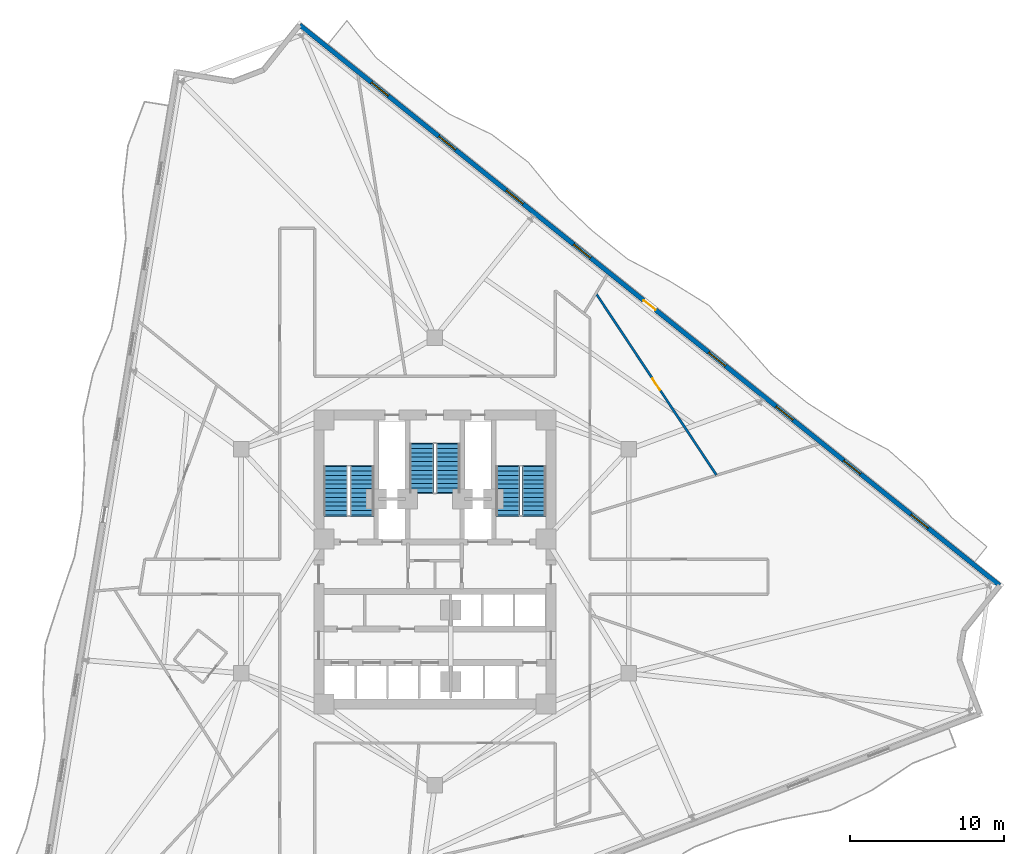
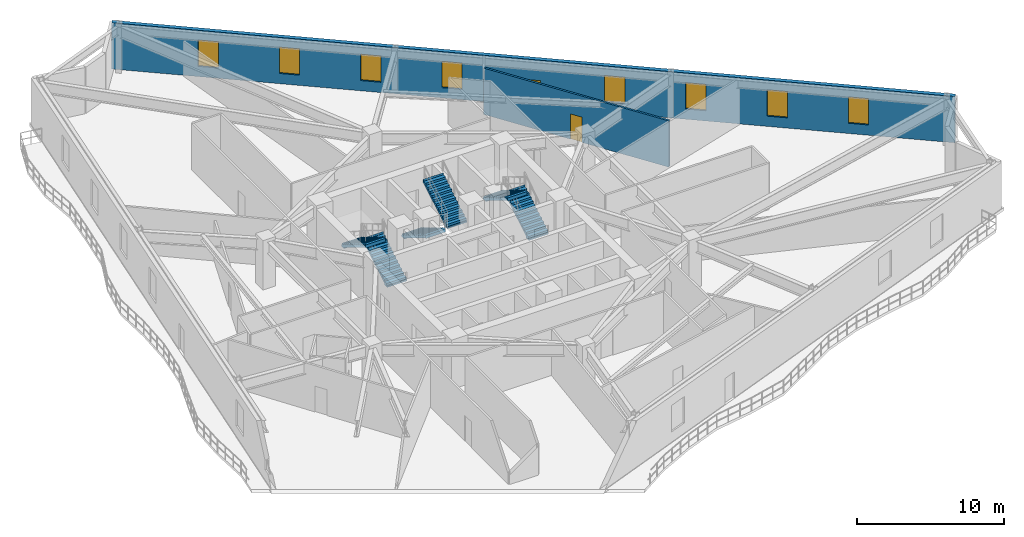
# One storey, part 7 of 11: 8 windows, 6 stair flights, 2 doors, 2 walls, 10 openings, 3 elements without a shape of their own.
"""IFC4 building model written with IfcOpenShell, lengths in metres."""

from ifc_helpers import new_model, si_unit, direction, frame, frame_2d, origin, place, context, subcontext, project, spatial, polyline, rectangle, outline, extrude, material, layer, layer_set, type_object, element, fill, aggregate, save


model = new_model("IFC4")

# Units and contexts
model_context = context("Model", 3, precision=1e-05, world=origin(), true_north=direction((0.0, 1.0)))
body_context = subcontext(model_context, "Body", "Model", "MODEL_VIEW")
ifc_project = project(units=[si_unit("LENGTHUNIT", "METRE"), si_unit("AREAUNIT", "SQUARE_METRE"), si_unit("VOLUMEUNIT", "CUBIC_METRE"), si_unit("PLANEANGLEUNIT", "RADIAN"), si_unit("MASSUNIT", "GRAM", prefix="KILO")], contexts=[model_context])

# Site, building, storey
site_placement = place(None, origin())
site = spatial("IfcSite", under=ifc_project, at=site_placement, CompositionType="ELEMENT")
building_placement = place(site_placement, origin())
building = spatial("IfcBuilding", under=site, at=building_placement, Name="Apsidion Concourse Tower", CompositionType="ELEMENT")
storey_placement = place(building_placement, frame((0.0, 0.0, 140.39990234375)))
storey = spatial("IfcBuildingStorey", under=building, at=storey_placement, Name="L32", CompositionType="ELEMENT", Elevation=140.39990234375)

# Wall, openings, door, windows
ifc_material_1 = material(Name="Precast concrete C40/50", Category="concrete")
ifc_layer_1 = layer(ifc_material_1, 0.300048828125)
ifc_layer_set_1 = layer_set([ifc_layer_1], Name="Precast concrete C40/50")
wall_type_1 = type_object("IfcWallType", Name="WL-EXT-300", PredefinedType="STANDARD", material=ifc_layer_set_1)
wall_1_placement = place(storey_placement, frame((-8.76171875, 34.748291015625, 0.0), z_axis=(0.0, 0.0, 1.0), x_axis=(0.780669916438, -0.624943582708, 0.0)))
wall_1 = element("IfcWall", 1, at=wall_1_placement, inside=storey, type_object=wall_type_1, Name="L32 Precast Stone Facade Wall 01", PredefinedType="STANDARD", context=body_context, shape_type="SweptSolid", body=[
    extrude(rectangle(XDim=58.093017578125, YDim=0.300048828125, at=frame_2d((29.04638671875, 0.0))), origin(), (0.0, 0.0, 1.0), 3.85009765625),
])
opening_1_placement = place(wall_1_placement, frame((28.546630859375, 0.0, 0.0)))
opening_1 = element("IfcOpeningElement", 2, at=opening_1_placement, cuts=wall_1, Name="Opening D-T1L", PredefinedType="OPENING", context=body_context, shape_type="SweptSolid", body=[
    extrude(rectangle(XDim=1.0, YDim=2.14990234375, at=frame_2d((0.5, 1.074951171875))), frame((0.0, 0.16015625, 0.0), z_axis=(0.0, -1.0, 0.0), x_axis=(1.0, 0.0, 0.0)), (0.0, 0.0, 1.0), 0.320068359375),
])
opening_2_placement = place(wall_1_placement, frame((5.946533203125, 0.0, 0.85009765625)))
opening_2 = element("IfcOpeningElement", 3, at=opening_2_placement, cuts=wall_1, Name="Opening WN-05", PredefinedType="OPENING", context=body_context, shape_type="SweptSolid", body=[
    extrude(rectangle(XDim=1.39990234375, YDim=2.199951171875, at=frame_2d((0.699951171875, 1.10009765625))), frame((0.0, 0.16015625, 0.0), z_axis=(0.0, -1.0, 0.0), x_axis=(1.0, 0.0, 0.0)), (0.0, 0.0, 1.0), 0.320068359375),
])
opening_3_placement = place(wall_1_placement, frame((11.546630859375, 0.0, 0.85009765625)))
opening_3 = element("IfcOpeningElement", 4, at=opening_3_placement, cuts=wall_1, Name="Opening WN-05", PredefinedType="OPENING", context=body_context, shape_type="SweptSolid", body=[
    extrude(rectangle(XDim=1.39990234375, YDim=2.199951171875, at=frame_2d((0.699951171875, 1.10009765625))), frame((0.0, 0.16015625, 0.0), z_axis=(0.0, -1.0, 0.0), x_axis=(1.0, 0.0, 0.0)), (0.0, 0.0, 1.0), 0.320068359375),
])
opening_4_placement = place(wall_1_placement, frame((17.146484375, 0.0, 0.85009765625)))
opening_4 = element("IfcOpeningElement", 5, at=opening_4_placement, cuts=wall_1, Name="Opening WN-05", PredefinedType="OPENING", context=body_context, shape_type="SweptSolid", body=[
    extrude(rectangle(XDim=1.39990234375, YDim=2.199951171875, at=frame_2d((0.699951171875, 1.10009765625))), frame((0.0, 0.16015625, 0.0), z_axis=(0.0, -1.0, 0.0), x_axis=(1.0, 0.0, 0.0)), (0.0, 0.0, 1.0), 0.320068359375),
])
opening_5_placement = place(wall_1_placement, frame((22.74658203125, 0.0, 0.85009765625)))
opening_5 = element("IfcOpeningElement", 6, at=opening_5_placement, cuts=wall_1, Name="Opening WN-05", PredefinedType="OPENING", context=body_context, shape_type="SweptSolid", body=[
    extrude(rectangle(XDim=1.39990234375, YDim=2.199951171875, at=frame_2d((0.699951171875, 1.10009765625))), frame((0.0, 0.16015625, 0.0), z_axis=(0.0, -1.0, 0.0), x_axis=(1.0, 0.0, 0.0)), (0.0, 0.0, 1.0), 0.320068359375),
])
opening_6_placement = place(wall_1_placement, frame((33.946533203125, 0.0, 0.85009765625)))
opening_6 = element("IfcOpeningElement", 7, at=opening_6_placement, cuts=wall_1, Name="Opening WN-05", PredefinedType="OPENING", context=body_context, shape_type="SweptSolid", body=[
    extrude(rectangle(XDim=1.39990234375, YDim=2.199951171875, at=frame_2d((0.699951171875, 1.10009765625))), frame((0.0, 0.16015625, 0.0), z_axis=(0.0, -1.0, 0.0), x_axis=(1.0, 0.0, 0.0)), (0.0, 0.0, 1.0), 0.320068359375),
])
opening_7_placement = place(wall_1_placement, frame((39.546630859375, 0.0, 0.85009765625)))
opening_7 = element("IfcOpeningElement", 8, at=opening_7_placement, cuts=wall_1, Name="Opening WN-05", PredefinedType="OPENING", context=body_context, shape_type="SweptSolid", body=[
    extrude(rectangle(XDim=1.39990234375, YDim=2.199951171875, at=frame_2d((0.699951171875, 1.10009765625))), frame((0.0, 0.16015625, 0.0), z_axis=(0.0, -1.0, 0.0), x_axis=(1.0, 0.0, 0.0)), (0.0, 0.0, 1.0), 0.320068359375),
])
opening_8_placement = place(wall_1_placement, frame((45.146484375, 0.0, 0.85009765625)))
opening_8 = element("IfcOpeningElement", 9, at=opening_8_placement, cuts=wall_1, Name="Opening WN-05", PredefinedType="OPENING", context=body_context, shape_type="SweptSolid", body=[
    extrude(rectangle(XDim=1.39990234375, YDim=2.199951171875, at=frame_2d((0.699951171875, 1.10009765625))), frame((0.0, 0.16015625, 0.0), z_axis=(0.0, -1.0, 0.0), x_axis=(1.0, 0.0, 0.0)), (0.0, 0.0, 1.0), 0.320068359375),
])
opening_9_placement = place(wall_1_placement, frame((50.74658203125, 0.0, 0.85009765625)))
opening_9 = element("IfcOpeningElement", 10, at=opening_9_placement, cuts=wall_1, Name="Opening WN-05", PredefinedType="OPENING", context=body_context, shape_type="SweptSolid", body=[
    extrude(rectangle(XDim=1.39990234375, YDim=2.199951171875, at=frame_2d((0.699951171875, 1.10009765625))), frame((0.0, 0.16015625, 0.0), z_axis=(0.0, -1.0, 0.0), x_axis=(1.0, 0.0, 0.0)), (0.0, 0.0, 1.0), 0.320068359375),
])
ifc_material_2 = material(Name="Anodised aluminium EN AW-6063 T6", Category="aluminium")
door_type_1 = type_object("IfcDoorType", Name="DR-TER-1022L", OperationType="SINGLE_SWING_LEFT", PredefinedType="DOOR", material=ifc_material_2)
door_1_placement = place(opening_1_placement, origin())
door_1 = element("IfcDoor", 11, at=door_1_placement, inside=storey, type_object=door_type_1, Name="L32 Balcony Access Door 3", OperationType="SINGLE_SWING_LEFT", OverallHeight=2.14990234375, OverallWidth=1.0, PredefinedType="DOOR", context=body_context, shape_type="SweptSolid", body=[
    extrude(rectangle(XDim=1.0, YDim=2.14990234375, at=frame_2d((0.5, 1.074951171875))), frame((0.0, 0.02490234375, 0.0), z_axis=(0.0, -1.0, 0.0), x_axis=(1.0, 0.0, 0.0)), (0.0, 0.0, 1.0), 0.050048828125),
])
fill(opening_1, door_1)
ifc_material_3 = material(Name="Insulated laminated low-E glass", Category="glass")
window_type = type_object("IfcWindowType", Name="WN-OFF-1424", PartitioningType="SINGLE_PANEL", PredefinedType="WINDOW", material=ifc_material_3)
window_1_placement = place(opening_2_placement, origin())
window_1 = element("IfcWindow", 12, at=window_1_placement, inside=storey, type_object=window_type, Name="L32 Punched Facade Window 1-01", OverallHeight=2.199951171875, OverallWidth=1.39990234375, PartitioningType="SINGLE_PANEL", PredefinedType="WINDOW", context=body_context, shape_type="SweptSolid", body=[
    extrude(rectangle(XDim=1.39990234375, YDim=2.199951171875, at=frame_2d((0.699951171875, 1.10009765625))), frame((0.0, 0.030029296875, 0.0), z_axis=(0.0, -1.0, 0.0), x_axis=(1.0, 0.0, 0.0)), (0.0, 0.0, 1.0), 0.06005859375),
])
fill(opening_2, window_1)
window_2_placement = place(opening_3_placement, origin())
window_2 = element("IfcWindow", 13, at=window_2_placement, inside=storey, type_object=window_type, Name="L32 Punched Facade Window 1-02", OverallHeight=2.199951171875, OverallWidth=1.39990234375, PartitioningType="SINGLE_PANEL", PredefinedType="WINDOW", context=body_context, shape_type="SweptSolid", body=[
    extrude(rectangle(XDim=1.39990234375, YDim=2.199951171875, at=frame_2d((0.699951171875, 1.10009765625))), frame((0.0, 0.030029296875, 0.0), z_axis=(0.0, -1.0, 0.0), x_axis=(1.0, 0.0, 0.0)), (0.0, 0.0, 1.0), 0.06005859375),
])
fill(opening_3, window_2)
window_3_placement = place(opening_4_placement, origin())
window_3 = element("IfcWindow", 14, at=window_3_placement, inside=storey, type_object=window_type, Name="L32 Punched Facade Window 1-03", OverallHeight=2.199951171875, OverallWidth=1.39990234375, PartitioningType="SINGLE_PANEL", PredefinedType="WINDOW", context=body_context, shape_type="SweptSolid", body=[
    extrude(rectangle(XDim=1.39990234375, YDim=2.199951171875, at=frame_2d((0.699951171875, 1.10009765625))), frame((0.0, 0.030029296875, 0.0), z_axis=(0.0, -1.0, 0.0), x_axis=(1.0, 0.0, 0.0)), (0.0, 0.0, 1.0), 0.06005859375),
])
fill(opening_4, window_3)
window_4_placement = place(opening_5_placement, origin())
window_4 = element("IfcWindow", 15, at=window_4_placement, inside=storey, type_object=window_type, Name="L32 Punched Facade Window 1-04", OverallHeight=2.199951171875, OverallWidth=1.39990234375, PartitioningType="SINGLE_PANEL", PredefinedType="WINDOW", context=body_context, shape_type="SweptSolid", body=[
    extrude(rectangle(XDim=1.39990234375, YDim=2.199951171875, at=frame_2d((0.699951171875, 1.10009765625))), frame((0.0, 0.030029296875, 0.0), z_axis=(0.0, -1.0, 0.0), x_axis=(1.0, 0.0, 0.0)), (0.0, 0.0, 1.0), 0.06005859375),
])
fill(opening_5, window_4)
window_5_placement = place(opening_6_placement, origin())
window_5 = element("IfcWindow", 16, at=window_5_placement, inside=storey, type_object=window_type, Name="L32 Punched Facade Window 1-06", OverallHeight=2.199951171875, OverallWidth=1.39990234375, PartitioningType="SINGLE_PANEL", PredefinedType="WINDOW", context=body_context, shape_type="SweptSolid", body=[
    extrude(rectangle(XDim=1.39990234375, YDim=2.199951171875, at=frame_2d((0.699951171875, 1.10009765625))), frame((0.0, 0.030029296875, 0.0), z_axis=(0.0, -1.0, 0.0), x_axis=(1.0, 0.0, 0.0)), (0.0, 0.0, 1.0), 0.06005859375),
])
fill(opening_6, window_5)
window_6_placement = place(opening_7_placement, origin())
window_6 = element("IfcWindow", 17, at=window_6_placement, inside=storey, type_object=window_type, Name="L32 Punched Facade Window 1-07", OverallHeight=2.199951171875, OverallWidth=1.39990234375, PartitioningType="SINGLE_PANEL", PredefinedType="WINDOW", context=body_context, shape_type="SweptSolid", body=[
    extrude(rectangle(XDim=1.39990234375, YDim=2.199951171875, at=frame_2d((0.699951171875, 1.10009765625))), frame((0.0, 0.030029296875, 0.0), z_axis=(0.0, -1.0, 0.0), x_axis=(1.0, 0.0, 0.0)), (0.0, 0.0, 1.0), 0.06005859375),
])
fill(opening_7, window_6)
window_7_placement = place(opening_8_placement, origin())
window_7 = element("IfcWindow", 18, at=window_7_placement, inside=storey, type_object=window_type, Name="L32 Punched Facade Window 1-08", OverallHeight=2.199951171875, OverallWidth=1.39990234375, PartitioningType="SINGLE_PANEL", PredefinedType="WINDOW", context=body_context, shape_type="SweptSolid", body=[
    extrude(rectangle(XDim=1.39990234375, YDim=2.199951171875, at=frame_2d((0.699951171875, 1.10009765625))), frame((0.0, 0.030029296875, 0.0), z_axis=(0.0, -1.0, 0.0), x_axis=(1.0, 0.0, 0.0)), (0.0, 0.0, 1.0), 0.06005859375),
])
fill(opening_8, window_7)
window_8_placement = place(opening_9_placement, origin())
window_8 = element("IfcWindow", 19, at=window_8_placement, inside=storey, type_object=window_type, Name="L32 Punched Facade Window 1-09", OverallHeight=2.199951171875, OverallWidth=1.39990234375, PartitioningType="SINGLE_PANEL", PredefinedType="WINDOW", context=body_context, shape_type="SweptSolid", body=[
    extrude(rectangle(XDim=1.39990234375, YDim=2.199951171875, at=frame_2d((0.699951171875, 1.10009765625))), frame((0.0, 0.030029296875, 0.0), z_axis=(0.0, -1.0, 0.0), x_axis=(1.0, 0.0, 0.0)), (0.0, 0.0, 1.0), 0.06005859375),
])
fill(opening_9, window_8)

# Wall, opening, door
ifc_material_4 = material(Name="Gypsum plasterboard partition")
ifc_layer_2 = layer(ifc_material_4, 0.14990234375)
ifc_layer_set_2 = layer_set([ifc_layer_2], Name="Gypsum plasterboard partition")
wall_type_2 = type_object("IfcWallType", Name="WL-INT-PAR-150", PredefinedType="PARTITIONING", material=ifc_layer_set_2)
wall_2_placement = place(storey_placement, frame((18.232666015625, 5.600341796875, 0.0), z_axis=(0.0, 0.0, 1.0), x_axis=(-0.552746716733, 0.833349306798, 0.0)))
wall_2 = element("IfcWall", 20, at=wall_2_placement, inside=storey, type_object=wall_type_2, Name="L32 Interior Partition WL-L32-CHD-OFS05", PredefinedType="PARTITIONING", context=body_context, shape_type="SweptSolid", body=[
    extrude(rectangle(XDim=14.08544921875, YDim=0.14990234375, at=frame_2d((7.042724609375, 0.0))), origin(), (0.0, 0.0, 1.0), 3.85009765625),
])
opening_10_placement = place(wall_2_placement, frame((6.592529296875, 0.0, 0.0)))
opening_10 = element("IfcOpeningElement", 21, at=opening_10_placement, cuts=wall_2, Name="Opening D-02R", PredefinedType="OPENING", context=body_context, shape_type="SweptSolid", body=[
    extrude(rectangle(XDim=0.89990234375, YDim=2.10009765625, at=frame_2d((0.449951171875, 1.050048828125))), frame((0.0, 0.0849609375, 0.0), z_axis=(0.0, -1.0, 0.0), x_axis=(1.0, 0.0, 0.0)), (0.0, 0.0, 1.0), 0.169921875),
])
door_type_2 = type_object("IfcDoorType", Name="DR-INT-D02R", OperationType="SINGLE_SWING_RIGHT", PredefinedType="DOOR", material=ifc_material_2)
door_2_placement = place(opening_10_placement, origin())
door_2 = element("IfcDoor", 22, at=door_2_placement, inside=storey, type_object=door_type_2, Name="L32 Suite Connecting Door OFS05", OperationType="SINGLE_SWING_RIGHT", OverallHeight=2.10009765625, OverallWidth=0.89990234375, PredefinedType="DOOR", context=body_context, shape_type="SweptSolid", body=[
    extrude(rectangle(XDim=0.89990234375, YDim=2.10009765625, at=frame_2d((0.449951171875, 1.050048828125))), frame((0.0, 0.02490234375, 0.0), z_axis=(0.0, -1.0, 0.0), x_axis=(1.0, 0.0, 0.0)), (0.0, 0.0, 1.0), 0.050048828125),
])
fill(opening_10, door_2)

# Stair, stair flights
stair_type = type_object("IfcStairType", Name="ST-DL-1550", PredefinedType="HALF_TURN_STAIR", material=ifc_material_1)
stair_1_placement = place(storey_placement, origin())
stair_1 = element("IfcStair", 23, at=stair_1_placement, inside=storey, type_object=stair_type, Name="L32 Protected Core Exit Stair ST1", PredefinedType="HALF_TURN_STAIR")
stair_flight_type = type_object("IfcStairFlightType", Name="SFL-RC-1550", PredefinedType="STRAIGHT", material=ifc_material_1)
stair_flight_1_placement = place(storey_placement, frame((-4.72509765625, 3.0, 0.0), z_axis=(0.0, 0.0, 1.0), x_axis=(0.0, 1.0, 0.0)))
stair_flight_1 = element("IfcStairFlight", 24, at=stair_flight_1_placement, type_object=stair_flight_type, Name="ST1 flight 1", NumberOfRisers=12, NumberOfTreads=11, PredefinedType="STRAIGHT", RiserHeight=0.170833333, TreadLength=0.285, context=body_context, shape_type="SweptSolid", body=[
    extrude(outline(polyline([(-0.080078125, -0.1123046875), (-0.080078125, 0.0), (0.0, 0.0), (0.0, 0.1708984375), (0.284912109375, 0.1708984375), (0.284912109375, 0.341552734375), (0.570068359375, 0.341552734375), (0.570068359375, 0.512451171875), (0.85498046875, 0.512451171875), (0.85498046875, 0.683349609375), (1.139892578125, 0.683349609375), (1.139892578125, 0.854248046875), (1.425048828125, 0.854248046875), (1.425048828125, 1.02490234375), (1.7099609375, 1.02490234375), (1.7099609375, 1.19580078125), (1.9951171875, 1.19580078125), (1.9951171875, 1.36669921875), (2.280029296875, 1.36669921875), (2.280029296875, 1.53759765625), (2.56494140625, 1.53759765625), (2.56494140625, 1.708251953125), (2.85009765625, 1.708251953125), (2.85009765625, 1.879150390625), (3.135009765625, 1.879150390625), (3.135009765625, 2.050048828125), (3.215087890625, 1.964599609375), (3.215087890625, 1.704345703125), (3.135009765625, 1.704345703125), (0.29150390625, 0.0), (0.29150390625, -0.1123046875), (-0.080078125, -0.1123046875)])), frame((0.0, 0.77490234375, 0.0), z_axis=(0.0, -1.0, 0.0), x_axis=(1.0, 0.0, 0.0)), (0.0, 0.0, 1.0), 1.550048828125),
])
stair_flight_2_placement = place(storey_placement, frame((-6.425048828125, 6.135009765625, 2.050048828125), z_axis=(0.0, 0.0, 1.0), x_axis=(0.0, -1.0, 0.0)))
stair_flight_2 = element("IfcStairFlight", 25, at=stair_flight_2_placement, type_object=stair_flight_type, Name="ST1 flight 2", NumberOfRisers=12, NumberOfTreads=11, PredefinedType="STRAIGHT", RiserHeight=0.170833333, TreadLength=0.285, context=body_context, shape_type="SweptSolid", body=[
    extrude(outline(polyline([(-0.080078125, -0.1123046875), (-0.080078125, 0.0), (0.0, 0.0), (0.0, 0.1708984375), (0.284912109375, 0.1708984375), (0.284912109375, 0.341552734375), (0.570068359375, 0.341552734375), (0.570068359375, 0.512451171875), (0.85498046875, 0.512451171875), (0.85498046875, 0.683349609375), (1.139892578125, 0.683349609375), (1.139892578125, 0.854248046875), (1.425048828125, 0.854248046875), (1.425048828125, 1.02490234375), (1.7099609375, 1.02490234375), (1.7099609375, 1.19580078125), (1.9951171875, 1.19580078125), (1.9951171875, 1.36669921875), (2.280029296875, 1.36669921875), (2.280029296875, 1.53759765625), (2.56494140625, 1.53759765625), (2.56494140625, 1.708251953125), (2.85009765625, 1.708251953125), (2.85009765625, 1.879150390625), (3.135009765625, 1.879150390625), (3.135009765625, 2.050048828125), (3.215087890625, 1.964599609375), (3.215087890625, 1.704345703125), (3.135009765625, 1.704345703125), (0.29150390625, 0.0), (0.29150390625, -0.1123046875), (-0.080078125, -0.1123046875)])), frame((0.0, 0.77490234375, 0.0), z_axis=(0.0, -1.0, 0.0), x_axis=(1.0, 0.0, 0.0)), (0.0, 0.0, 1.0), 1.550048828125),
])
aggregate(stair_1, [stair_flight_1, stair_flight_2])

stair_2_placement = place(storey_placement, origin())
stair_2 = element("IfcStair", 26, at=stair_2_placement, inside=storey, type_object=stair_type, Name="L32 Protected Core Exit Stair ST2", PredefinedType="HALF_TURN_STAIR")
stair_flight_3_placement = place(storey_placement, frame((6.425048828125, 3.0, 0.0), z_axis=(0.0, 0.0, 1.0), x_axis=(0.0, 1.0, 0.0)))
stair_flight_3 = element("IfcStairFlight", 27, at=stair_flight_3_placement, type_object=stair_flight_type, Name="ST2 flight 1", NumberOfRisers=12, NumberOfTreads=11, PredefinedType="STRAIGHT", RiserHeight=0.170833333, TreadLength=0.285, context=body_context, shape_type="SweptSolid", body=[
    extrude(outline(polyline([(-0.080078125, -0.1123046875), (-0.080078125, 0.0), (0.0, 0.0), (0.0, 0.1708984375), (0.284912109375, 0.1708984375), (0.284912109375, 0.341552734375), (0.570068359375, 0.341552734375), (0.570068359375, 0.512451171875), (0.85498046875, 0.512451171875), (0.85498046875, 0.683349609375), (1.139892578125, 0.683349609375), (1.139892578125, 0.854248046875), (1.425048828125, 0.854248046875), (1.425048828125, 1.02490234375), (1.7099609375, 1.02490234375), (1.7099609375, 1.19580078125), (1.9951171875, 1.19580078125), (1.9951171875, 1.36669921875), (2.280029296875, 1.36669921875), (2.280029296875, 1.53759765625), (2.56494140625, 1.53759765625), (2.56494140625, 1.708251953125), (2.85009765625, 1.708251953125), (2.85009765625, 1.879150390625), (3.135009765625, 1.879150390625), (3.135009765625, 2.050048828125), (3.215087890625, 1.964599609375), (3.215087890625, 1.704345703125), (3.135009765625, 1.704345703125), (0.29150390625, 0.0), (0.29150390625, -0.1123046875), (-0.080078125, -0.1123046875)])), frame((0.0, 0.77490234375, 0.0), z_axis=(0.0, -1.0, 0.0), x_axis=(1.0, 0.0, 0.0)), (0.0, 0.0, 1.0), 1.550048828125),
])
stair_flight_4_placement = place(storey_placement, frame((4.72509765625, 6.135009765625, 2.050048828125), z_axis=(0.0, 0.0, 1.0), x_axis=(0.0, -1.0, 0.0)))
stair_flight_4 = element("IfcStairFlight", 28, at=stair_flight_4_placement, type_object=stair_flight_type, Name="ST2 flight 2", NumberOfRisers=12, NumberOfTreads=11, PredefinedType="STRAIGHT", RiserHeight=0.170833333, TreadLength=0.285, context=body_context, shape_type="SweptSolid", body=[
    extrude(outline(polyline([(-0.080078125, -0.1123046875), (-0.080078125, 0.0), (0.0, 0.0), (0.0, 0.1708984375), (0.284912109375, 0.1708984375), (0.284912109375, 0.341552734375), (0.570068359375, 0.341552734375), (0.570068359375, 0.512451171875), (0.85498046875, 0.512451171875), (0.85498046875, 0.683349609375), (1.139892578125, 0.683349609375), (1.139892578125, 0.854248046875), (1.425048828125, 0.854248046875), (1.425048828125, 1.02490234375), (1.7099609375, 1.02490234375), (1.7099609375, 1.19580078125), (1.9951171875, 1.19580078125), (1.9951171875, 1.36669921875), (2.280029296875, 1.36669921875), (2.280029296875, 1.53759765625), (2.56494140625, 1.53759765625), (2.56494140625, 1.708251953125), (2.85009765625, 1.708251953125), (2.85009765625, 1.879150390625), (3.135009765625, 1.879150390625), (3.135009765625, 2.050048828125), (3.215087890625, 1.964599609375), (3.215087890625, 1.704345703125), (3.135009765625, 1.704345703125), (0.29150390625, 0.0), (0.29150390625, -0.1123046875), (-0.080078125, -0.1123046875)])), frame((0.0, 0.77490234375, 0.0), z_axis=(0.0, -1.0, 0.0), x_axis=(1.0, 0.0, 0.0)), (0.0, 0.0, 1.0), 1.550048828125),
])
aggregate(stair_2, [stair_flight_3, stair_flight_4])

stair_3_placement = place(storey_placement, origin())
stair_3 = element("IfcStair", 29, at=stair_3_placement, inside=storey, type_object=stair_type, Name="L32 Protected Core Exit Stair ST3", PredefinedType="HALF_TURN_STAIR")
stair_flight_5_placement = place(storey_placement, frame((-0.85009765625, 7.60009765625, 0.0), z_axis=(0.0, 0.0, 1.0), x_axis=(0.0, -1.0, 0.0)))
stair_flight_5 = element("IfcStairFlight", 30, at=stair_flight_5_placement, type_object=stair_flight_type, Name="ST3 flight 1", NumberOfRisers=12, NumberOfTreads=11, PredefinedType="STRAIGHT", RiserHeight=0.170833333, TreadLength=0.285, context=body_context, shape_type="SweptSolid", body=[
    extrude(outline(polyline([(-0.080078125, -0.1123046875), (-0.080078125, 0.0), (0.0, 0.0), (0.0, 0.1708984375), (0.284912109375, 0.1708984375), (0.284912109375, 0.341552734375), (0.570068359375, 0.341552734375), (0.570068359375, 0.512451171875), (0.85498046875, 0.512451171875), (0.85498046875, 0.683349609375), (1.139892578125, 0.683349609375), (1.139892578125, 0.854248046875), (1.425048828125, 0.854248046875), (1.425048828125, 1.02490234375), (1.7099609375, 1.02490234375), (1.7099609375, 1.19580078125), (1.9951171875, 1.19580078125), (1.9951171875, 1.36669921875), (2.280029296875, 1.36669921875), (2.280029296875, 1.53759765625), (2.56494140625, 1.53759765625), (2.56494140625, 1.708251953125), (2.85009765625, 1.708251953125), (2.85009765625, 1.879150390625), (3.135009765625, 1.879150390625), (3.135009765625, 2.050048828125), (3.215087890625, 1.964599609375), (3.215087890625, 1.704345703125), (3.135009765625, 1.704345703125), (0.29150390625, 0.0), (0.29150390625, -0.1123046875), (-0.080078125, -0.1123046875)])), frame((0.0, 0.77490234375, 0.0), z_axis=(0.0, -1.0, 0.0), x_axis=(1.0, 0.0, 0.0)), (0.0, 0.0, 1.0), 1.550048828125),
])
stair_flight_6_placement = place(storey_placement, frame((0.85009765625, 4.465087890625, 2.050048828125), z_axis=(0.0, 0.0, 1.0), x_axis=(0.0, 1.0, 0.0)))
stair_flight_6 = element("IfcStairFlight", 31, at=stair_flight_6_placement, type_object=stair_flight_type, Name="ST3 flight 2", NumberOfRisers=12, NumberOfTreads=11, PredefinedType="STRAIGHT", RiserHeight=0.170833333, TreadLength=0.285, context=body_context, shape_type="SweptSolid", body=[
    extrude(outline(polyline([(-0.080078125, -0.1123046875), (-0.080078125, 0.0), (0.0, 0.0), (0.0, 0.1708984375), (0.284912109375, 0.1708984375), (0.284912109375, 0.341552734375), (0.570068359375, 0.341552734375), (0.570068359375, 0.512451171875), (0.85498046875, 0.512451171875), (0.85498046875, 0.683349609375), (1.139892578125, 0.683349609375), (1.139892578125, 0.854248046875), (1.425048828125, 0.854248046875), (1.425048828125, 1.02490234375), (1.7099609375, 1.02490234375), (1.7099609375, 1.19580078125), (1.9951171875, 1.19580078125), (1.9951171875, 1.36669921875), (2.280029296875, 1.36669921875), (2.280029296875, 1.53759765625), (2.56494140625, 1.53759765625), (2.56494140625, 1.708251953125), (2.85009765625, 1.708251953125), (2.85009765625, 1.879150390625), (3.135009765625, 1.879150390625), (3.135009765625, 2.050048828125), (3.215087890625, 1.964599609375), (3.215087890625, 1.704345703125), (3.135009765625, 1.704345703125), (0.29150390625, 0.0), (0.29150390625, -0.1123046875), (-0.080078125, -0.1123046875)])), frame((0.0, 0.77490234375, 0.0), z_axis=(0.0, -1.0, 0.0), x_axis=(1.0, 0.0, 0.0)), (0.0, 0.0, 1.0), 1.550048828125),
])
aggregate(stair_3, [stair_flight_5, stair_flight_6])

save(model, "model.ifc")
